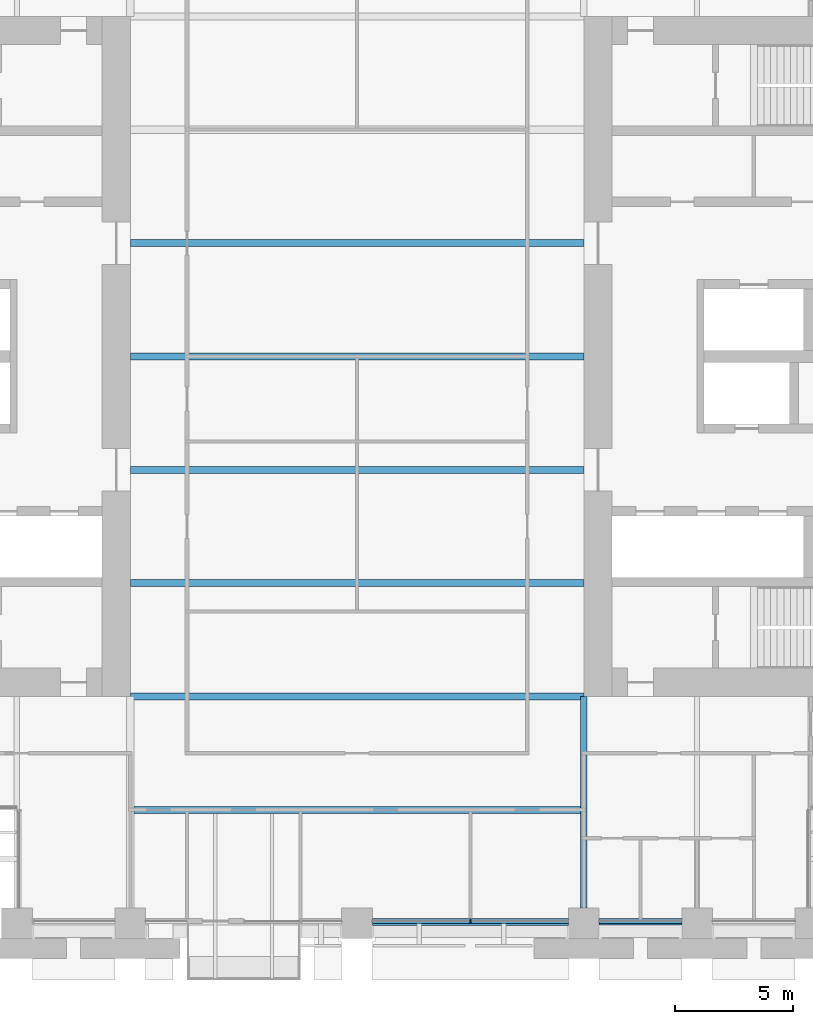
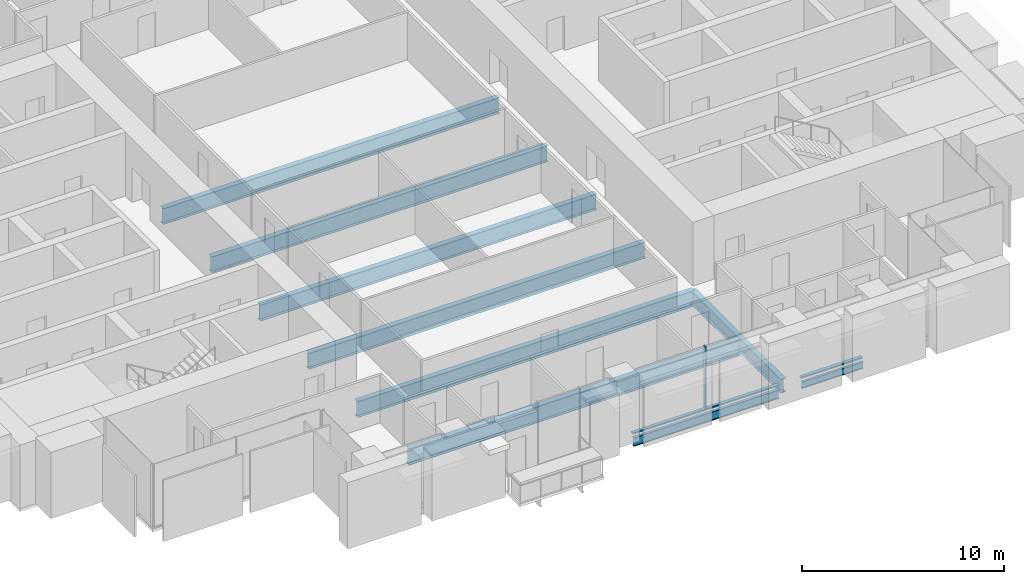
# One storey, part 3 of 15: 9 beams, 3 members, 1 element without a shape of its own.
"""IFC4 building model written with IfcOpenShell, lengths in metres."""

import ifcopenshell
import ifcopenshell.guid

model = None  # the IFC model being written
_history = None  # IfcOwnerHistory: only IFC2X3 demands one
_inside = {}  # id of a spatial element -> (the spatial element, [elements in it])
_under = {}  # id of a project, library or spatial element -> (it, [spatial elements below it])
_declared = {}  # id of a project -> (the project, [libraries it declares])
_typed = {}  # id of a type object -> (the type object, [elements of that type])
_made_of = {}  # id of a material, layer set ... -> (it, [elements and type objects made of it])


def new_model(schema):
    """Start an empty IFC model of exactly this schema.

    Asked for "IFC4X3", IfcOpenShell would pick the latest addendum, in which some entities
    have other attributes; the version numbers below select the first issue.
    IFC2X3 requires an IfcOwnerHistory on every rooted entity: one is made here for all.
    """
    global model, _history
    if schema == "IFC4X3":
        model = ifcopenshell.file(schema_version=(4, 3, 0, 0))
    else:
        model = ifcopenshell.file(schema=schema)
    _inside.clear()
    _under.clear()
    _declared.clear()
    _typed.clear()
    _made_of.clear()
    _history = None
    if model.schema == "IFC2X3":
        org = make("IfcOrganization", Name="unknown")
        user = make(
            "IfcPersonAndOrganization",
            ThePerson=make("IfcPerson", FamilyName="unknown"),
            TheOrganization=org,
        )
        app = make(
            "IfcApplication",
            ApplicationDeveloper=org,
            Version="unknown",
            ApplicationFullName="unknown",
            ApplicationIdentifier="unknown",
        )
        _history = make(
            "IfcOwnerHistory",
            OwningUser=user,
            OwningApplication=app,
            ChangeAction="ADDED",
            CreationDate=0,
        )
    return model


def make(cls, **values):
    """One entity of the class cls with the attributes given. An attribute that is None is left unset."""
    return model.create_entity(
        cls, **{name: value for name, value in values.items() if value is not None}
    )


def rooted(cls, **values):
    """An entity with a GlobalId (a new one), such as an element, a storey or a relation."""
    return make(cls, GlobalId=ifcopenshell.guid.new(), OwnerHistory=_history, **values)


def si_unit(unit_type, name, prefix=None):
    """IfcSIUnit, for example si_unit("LENGTHUNIT", "METRE", prefix="MILLI")."""
    return make("IfcSIUnit", UnitType=unit_type, Prefix=prefix, Name=name)


def assignment(units):
    """IfcUnitAssignment: the units of a project."""
    return None if units is None else make("IfcUnitAssignment", Units=units)


def point(xyz):
    """IfcCartesianPoint."""
    return None if xyz is None else make("IfcCartesianPoint", Coordinates=xyz)


def direction(xyz):
    """IfcDirection."""
    return None if xyz is None else make("IfcDirection", DirectionRatios=xyz)


def frame(location, z_axis=None, x_axis=None):
    """IfcAxis2Placement3D, a coordinate frame: its origin and axes. An axis left out is left unset."""
    return make(
        "IfcAxis2Placement3D",
        Location=point(location),
        Axis=direction(z_axis),
        RefDirection=direction(x_axis),
    )


def frame_2d(location, x_axis=None):
    """IfcAxis2Placement2D, a coordinate frame in the plane: its origin and x axis."""
    return make(
        "IfcAxis2Placement2D", Location=point(location), RefDirection=direction(x_axis)
    )


def origin():
    """The frame at (0, 0, 0) with its axes left unset."""
    return frame((0.0, 0.0, 0.0))


def origin_2d():
    """The frame at (0, 0) in the plane with its x axis left unset."""
    return frame_2d((0.0, 0.0))


def place(relative_to, where):
    """IfcLocalPlacement: puts the frame where relative to a parent placement (None: the world)."""
    return make(
        "IfcLocalPlacement", PlacementRelTo=relative_to, RelativePlacement=where
    )


def context(
    kind, dimensions, precision=None, world=None, true_north=None, identifier=None
):
    """IfcGeometricRepresentationContext, for example the 3D "Model" context."""
    return make(
        "IfcGeometricRepresentationContext",
        ContextIdentifier=identifier,
        ContextType=kind,
        CoordinateSpaceDimension=dimensions,
        Precision=precision,
        WorldCoordinateSystem=world,
        TrueNorth=true_north,
    )


def subcontext(parent, identifier, kind, view, scale=None):
    """IfcGeometricRepresentationSubContext, for example "Body" below "Model"."""
    return make(
        "IfcGeometricRepresentationSubContext",
        ContextIdentifier=identifier,
        ContextType=kind,
        ParentContext=parent,
        TargetScale=scale,
        TargetView=view,
    )


def project(units=None, contexts=None):
    """IfcProject with its units and contexts."""
    return rooted(
        "IfcProject",
        Name="project",
        RepresentationContexts=contexts,
        UnitsInContext=assignment(units),
    )


def spatial(cls, under=None, at=None, **own):
    """A site, building, storey or space (cls), placed at a placement, below another one or the project."""
    s = rooted(cls, ObjectPlacement=at, **own)
    if under is not None:
        _under.setdefault(under.id(), (under, []))[1].append(s)
    return s


def profile(cls, at=None, kind="AREA", **sizes):
    """A parametric profile (cls). Its sizes go by their IFC names, for example OverallWidth=200.0."""
    return make(cls, ProfileType=kind, Position=at, **sizes)


def rectangle(**sizes):
    """IfcRectangleProfileDef."""
    return profile("IfcRectangleProfileDef", **sizes)


def i_section(**sizes):
    """IfcIShapeProfileDef."""
    return profile("IfcIShapeProfileDef", **sizes)


def extrude(swept, where, along, depth):
    """IfcExtrudedAreaSolid: the profile swept, set in the frame where, extruded along a direction by depth."""
    return make(
        "IfcExtrudedAreaSolid",
        SweptArea=swept,
        Position=where,
        ExtrudedDirection=direction(along),
        Depth=depth,
    )


def shape(context_of_items, identifier, shape_type, items):
    """IfcShapeRepresentation: the items that make up one representation, for example the "Body"."""
    return make(
        "IfcShapeRepresentation",
        ContextOfItems=context_of_items,
        RepresentationIdentifier=identifier,
        RepresentationType=shape_type,
        Items=items,
    )


def material(Name=None, Category=None):
    """IfcMaterial."""
    return make("IfcMaterial", Name=Name, Category=Category)


def material_profile(
    of_material, cross_section, Name=None, Category=None, Priority=None
):
    """IfcMaterialProfile: a cross section and its material."""
    return make(
        "IfcMaterialProfile",
        Name=Name,
        Material=of_material,
        Profile=cross_section,
        Priority=Priority,
        Category=Category,
    )


def profile_set(profiles, Name=None, composite=None):
    """IfcMaterialProfileSet."""
    return make(
        "IfcMaterialProfileSet",
        Name=Name,
        MaterialProfiles=profiles,
        CompositeProfile=composite,
    )


def made_of(thing, what):
    """Note that an element or type object is made of a material, layer set ...; save() writes the relation."""
    if what is not None:
        _made_of.setdefault(what.id(), (what, []))[1].append(thing)
    return thing


def type_object(cls, material=None, **own):
    """A type object (cls), such as IfcWallType, which elements share."""
    return made_of(rooted(cls, **own), material)


def element(
    cls,
    number,
    at=None,
    inside=None,
    cuts=None,
    type_object=None,
    material=None,
    context=None,
    identifier="Body",
    shape_type=None,
    held_by="IfcProductDefinitionShape",
    body=None,
    shapes=None,
    **own,
):
    """One element of the class cls, such as IfcWall. Its Tag is "e" and its number.

    at: its placement. inside: the storey or other place that contains it. cuts: it is an
    opening in that element (IfcRelVoidsElement). A single representation is given by context,
    identifier, shape_type and body (its items); several are given by shapes. held_by: the class
    of the entity that holds the representations. save() writes the other relations.
    """
    e = rooted(cls, Tag="e%d" % number, ObjectPlacement=at, **own)
    if body is not None:
        shapes = [shape(context, identifier, shape_type, body)]
    if shapes is not None:
        e.Representation = make(held_by, Representations=shapes)
    if inside is not None:
        _inside.setdefault(inside.id(), (inside, []))[1].append(e)
    if cuts is not None:
        rooted(
            "IfcRelVoidsElement", RelatingBuildingElement=cuts, RelatedOpeningElement=e
        )
    if type_object is not None:
        _typed.setdefault(type_object.id(), (type_object, []))[1].append(e)
    return made_of(e, material)


def aggregate(whole, parts):
    """IfcRelAggregates: a whole, such as a stair, and the parts it consists of."""
    return rooted("IfcRelAggregates", RelatingObject=whole, RelatedObjects=parts)


def save(model, path):
    """Write the relations noted so far, then the file.

    IfcRelAggregates (storeys below a building ...), IfcRelContainedInSpatialStructure (elements
    in a storey), IfcRelDefinesByType, IfcRelAssociatesMaterial and IfcRelDeclares: one each for
    every whole, place, type object, material and project.
    """
    for whole, parts in _under.values():
        aggregate(whole, parts)
    for where, things in _inside.values():
        rooted(
            "IfcRelContainedInSpatialStructure",
            RelatedElements=things,
            RelatingStructure=where,
        )
    for kind, things in _typed.values():
        rooted("IfcRelDefinesByType", RelatedObjects=things, RelatingType=kind)
    for what, things in _made_of.values():
        rooted("IfcRelAssociatesMaterial", RelatedObjects=things, RelatingMaterial=what)
    for by, libraries in _declared.values():
        rooted("IfcRelDeclares", RelatingContext=by, RelatedDefinitions=libraries)
    model.write(path)


model = new_model("IFC4")

# Units and contexts
model_context = context("Model", 3, precision=1e-05, world=origin(), true_north=direction((0.0, 1.0)))
body_context = subcontext(model_context, "Body", "Model", "MODEL_VIEW")
ifc_project = project(units=[si_unit("LENGTHUNIT", "METRE"), si_unit("AREAUNIT", "SQUARE_METRE"), si_unit("VOLUMEUNIT", "CUBIC_METRE"), si_unit("PLANEANGLEUNIT", "RADIAN"), si_unit("MASSUNIT", "GRAM", prefix="KILO")], contexts=[model_context])

# Site, building, storey
site_placement = place(None, origin())
site = spatial("IfcSite", under=ifc_project, at=site_placement, CompositionType="ELEMENT")
building_placement = place(site_placement, origin())
building = spatial("IfcBuilding", under=site, at=building_placement, Name="Baori Bourse Tower", CompositionType="ELEMENT")
storey_placement = place(building_placement, frame((0.0, 0.0, 47.0)))
storey = spatial("IfcBuildingStorey", under=building, at=storey_placement, Name="L09", CompositionType="ELEMENT", Elevation=47.0)

# Curtain wall, members
ifc_material_1 = material(Name="Pale anodised aluminium", Category="aluminium")
curtain_wall_type = type_object("IfcCurtainWallType", Name="CW1 Curtain wall", PredefinedType="NOTDEFINED", material=ifc_material_1)
curtain_wall_placement = place(storey_placement, origin())
curtain_wall = element("IfcCurtainWall", 1, at=curtain_wall_placement, inside=storey, type_object=curtain_wall_type, Name="Curtain wall CW1 L09 15", PredefinedType="NOTDEFINED")
ifc_material_2 = material(Name="Pale anodised aluminium", Category="aluminium")
ifc_material_profile_1 = material_profile(ifc_material_2, rectangle(XDim=0.199951171875, YDim=0.06005859375, at=origin_2d()), Name="Mullion 60x200")
ifc_profile_set_1 = profile_set([ifc_material_profile_1], Name="Pale anodised aluminium")
member_type_1 = type_object("IfcMemberType", Name="CW1 Curtain wall mullion", PredefinedType="MULLION", material=ifc_profile_set_1)
member_1_placement = place(storey_placement, frame((33.60009765625, 0.10009765625, 0.080078125), z_axis=(0.0, 0.0, 1.0), x_axis=(0.0, 1.0, 0.0)))
member_1 = element("IfcMember", 2, at=member_1_placement, type_object=member_type_1, Name="Curtain wall CW1 mullion", PredefinedType="MULLION", context=body_context, shape_type="SweptSolid", body=[
    extrude(rectangle(XDim=0.199951171875, YDim=0.06005859375, at=origin_2d()), origin(), (0.0, 0.0, 1.0), 3.760009765625),
])
ifc_material_3 = material(Name="Pale anodised aluminium", Category="aluminium")
ifc_material_profile_2 = material_profile(ifc_material_3, rectangle(XDim=0.199951171875, YDim=0.080078125, at=origin_2d()), Name="Transom 80x200")
ifc_profile_set_2 = profile_set([ifc_material_profile_2], Name="Pale anodised aluminium")
member_type_2 = type_object("IfcMemberType", Name="CW1 Curtain wall transom", PredefinedType="USERDEFINED", material=ifc_profile_set_2)
member_2_placement = place(storey_placement, frame((29.449951171875, 0.10009765625, 0.0400390625), z_axis=(1.0, 0.0, 0.0), x_axis=(0.0, 1.0, 0.0)))
member_2 = element("IfcMember", 3, at=member_2_placement, type_object=member_type_2, Name="Curtain wall CW1 sill rail", ObjectType="TRANSOM", PredefinedType="USERDEFINED", context=body_context, shape_type="SweptSolid", body=[
    extrude(rectangle(XDim=0.199951171875, YDim=0.080078125, at=origin_2d()), origin(), (0.0, 0.0, 1.0), 8.300048828125),
])
member_3_placement = place(storey_placement, frame((39.050048828125, 0.10009765625, 0.0400390625), z_axis=(1.0, 0.0, 0.0), x_axis=(0.0, 1.0, 0.0)))
member_3 = element("IfcMember", 4, at=member_3_placement, type_object=member_type_2, Name="Curtain wall CW1 sill rail", ObjectType="TRANSOM", PredefinedType="USERDEFINED", context=body_context, shape_type="SweptSolid", body=[
    extrude(rectangle(XDim=0.199951171875, YDim=0.080078125, at=origin_2d()), origin(), (0.0, 0.0, 1.0), 3.5),
])
aggregate(curtain_wall, [member_2, member_1, member_3])

# Beams
ifc_material_4 = material(Name="Steel A992 Gr 50", Category="steel")
ifc_material_profile_3 = material_profile(ifc_material_4, i_section(OverallWidth=0.140380859375, OverallDepth=0.40380859375, WebThickness=0.007080078125, FlangeThickness=0.01123046875, at=origin_2d()), Name="W16x31")
ifc_profile_set_3 = profile_set([ifc_material_profile_3], Name="Steel A992 Gr 50")
beam_type_1 = type_object("IfcBeamType", Name="Edge beam W16x31", PredefinedType="BEAM", material=ifc_profile_set_3)
beam_1_placement = place(storey_placement, frame((39.050048828125, 0.0, -0.36181640625), z_axis=(1.0, 0.0, 0.0), x_axis=(0.0, 1.0, 0.0)))
element("IfcBeam", 5, at=beam_1_placement, inside=storey, type_object=beam_type_1, Name="Edge beam L09", PredefinedType="BEAM", context=body_context, shape_type="SweptSolid", body=[
    extrude(i_section(OverallWidth=0.140380859375, OverallDepth=0.40380859375, WebThickness=0.007080078125, FlangeThickness=0.01123046875, at=origin_2d()), origin(), (0.0, 0.0, 1.0), 3.5),
])
ifc_material_5 = material(Name="Steel A992 Gr 50", Category="steel")
ifc_material_profile_4 = material_profile(ifc_material_5, i_section(OverallWidth=0.1650390625, OverallDepth=0.52587890625, WebThickness=0.0087890625, FlangeThickness=0.011474609375, at=origin_2d()), Name="W21x44")
ifc_profile_set_4 = profile_set([ifc_material_profile_4], Name="Steel A992 Gr 50")
beam_type_2 = type_object("IfcBeamType", Name="Edge beam W21x44", PredefinedType="BEAM", material=ifc_profile_set_4)
beam_2_placement = place(storey_placement, frame((29.449951171875, 0.0, -0.4228515625), z_axis=(1.0, 0.0, 0.0), x_axis=(0.0, 1.0, 0.0)))
element("IfcBeam", 6, at=beam_2_placement, inside=storey, type_object=beam_type_2, Name="Edge beam L09", PredefinedType="BEAM", context=body_context, shape_type="SweptSolid", body=[
    extrude(i_section(OverallWidth=0.1650390625, OverallDepth=0.52587890625, WebThickness=0.0087890625, FlangeThickness=0.011474609375, at=origin_2d()), origin(), (0.0, 0.0, 1.0), 8.300048828125),
])
ifc_material_6 = material(Name="Steel A992 Gr 50", Category="steel")
ifc_material_profile_5 = material_profile(ifc_material_6, i_section(OverallWidth=0.2998046875, OverallDepth=0.97021484375, WebThickness=0.01611328125, FlangeThickness=0.02099609375, at=origin_2d()), Name="W40x149")
ifc_profile_set_5 = profile_set([ifc_material_profile_5], Name="Steel A992 Gr 50")
beam_type_3 = type_object("IfcBeamType", Name="Floor beam W40x149", PredefinedType="BEAM", material=ifc_profile_set_5)
for number, where, z_axis, x_axis, name in (
    (7, (19.199951171875, 9.60009765625, -0.64501953125), (1.0, 0.0, 0.0), (0.0, 1.0, 0.0), "Floor beam L09"),
    (8, (19.199951171875, 14.39990234375, -0.64501953125), (1.0, 0.0, 0.0), (0.0, 1.0, 0.0), "Floor beam L09"),
    (9, (19.199951171875, 19.199951171875, -0.64501953125), (1.0, 0.0, 0.0), (0.0, 1.0, 0.0), "Floor beam L09"),
    (10, (19.199951171875, 24.0, -0.64501953125), (1.0, 0.0, 0.0), (0.0, 1.0, 0.0), "Floor beam L09"),
    (11, (19.199951171875, 28.800048828125, -0.64501953125), (1.0, 0.0, 0.0), (0.0, 1.0, 0.0), "Floor beam L09"),
):
    element("IfcBeam", number, at=place(storey_placement, frame(where, z_axis=z_axis, x_axis=x_axis)), inside=storey, type_object=beam_type_3, Name=name, PredefinedType="BEAM", context=body_context, shape_type="SweptSolid", body=[
        extrude(i_section(OverallWidth=0.2998046875, OverallDepth=0.97021484375, WebThickness=0.01611328125, FlangeThickness=0.02099609375, at=origin_2d()), origin(), (0.0, 0.0, 1.0), 19.199951171875),
    ])
ifc_material_7 = material(Name="Steel A992 Gr 50", Category="steel")
ifc_material_profile_6 = material_profile(ifc_material_7, i_section(OverallWidth=0.2998046875, OverallDepth=0.990478515625, WebThickness=0.0166015625, FlangeThickness=0.030517578125, at=origin_2d()), Name="W40x183")
ifc_profile_set_6 = profile_set([ifc_material_profile_6], Name="Steel A992 Gr 50")
beam_type_4 = type_object("IfcBeamType", Name="Floor beam W40x183", PredefinedType="BEAM", material=ifc_profile_set_6)
beam_3_placement = place(storey_placement, frame((19.352294921875, 4.800048828125, -0.6552734375), z_axis=(1.0, 0.0, 0.0), x_axis=(0.0, 1.0, 0.0)))
element("IfcBeam", 12, at=beam_3_placement, inside=storey, type_object=beam_type_4, Name="Floor beam L09", PredefinedType="BEAM", context=body_context, shape_type="SweptSolid", body=[
    extrude(i_section(OverallWidth=0.2998046875, OverallDepth=0.990478515625, WebThickness=0.0166015625, FlangeThickness=0.030517578125, at=origin_2d()), origin(), (0.0, 0.0, 1.0), 18.901611328125),
])
ifc_material_8 = material(Name="Steel A992 Gr 50", Category="steel")
ifc_material_profile_7 = material_profile(ifc_material_8, i_section(OverallWidth=0.2919921875, OverallDepth=0.835693359375, WebThickness=0.013916015625, FlangeThickness=0.018798828125, at=origin_2d()), Name="W33x118")
ifc_profile_set_7 = profile_set([ifc_material_profile_7], Name="Steel A992 Gr 50")
beam_type_5 = type_object("IfcBeamType", Name="Girder W33x118", PredefinedType="BEAM", material=ifc_profile_set_7)
beam_4_placement = place(storey_placement, frame((38.39990234375, 0.64990234375, -0.577880859375), z_axis=(0.0, 1.0, 0.0), x_axis=(-1.0, 0.0, 0.0)))
element("IfcBeam", 13, at=beam_4_placement, inside=storey, type_object=beam_type_5, Name="Girder L09", PredefinedType="BEAM", context=body_context, shape_type="SweptSolid", body=[
    extrude(i_section(OverallWidth=0.2919921875, OverallDepth=0.835693359375, WebThickness=0.013916015625, FlangeThickness=0.018798828125, at=origin_2d()), origin(), (0.0, 0.0, 1.0), 8.9501953125),
])

save(model, "model.ifc")
